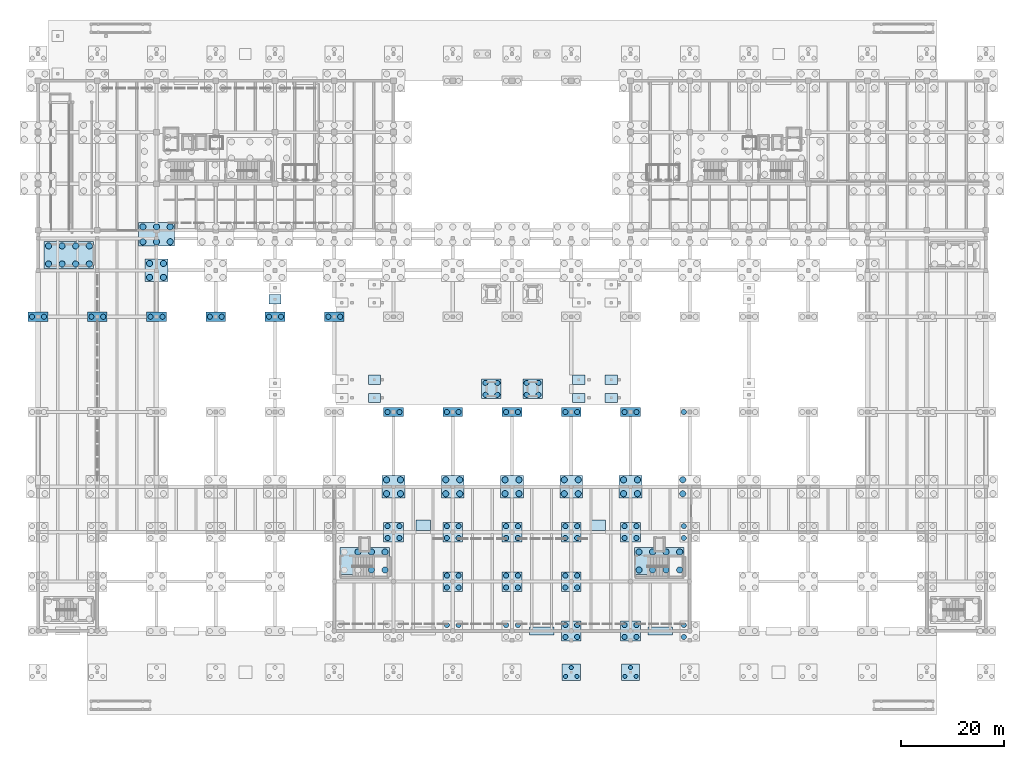
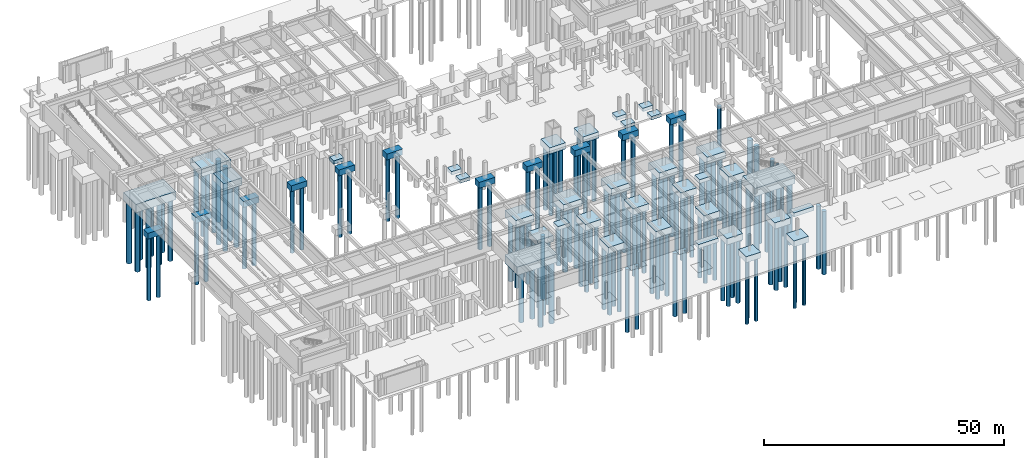
# One storey, part 2 of 28: 138 piles, 46 footings.
"""IFC4 building model written with IfcOpenShell, lengths in metres."""

from ifc_helpers import new_model, si_unit, direction, frame, origin, origin_2d, place, context, subcontext, project, spatial, rectangle, circle, extrude, material, material_profile, profile_set, type_object, element, save


model = new_model("IFC4")

# Units and contexts
model_context = context("Model", 3, precision=1e-05, world=origin(), true_north=direction((0.0, 1.0)))
body_context = subcontext(model_context, "Body", "Model", "MODEL_VIEW")
ifc_project = project(units=[si_unit("LENGTHUNIT", "METRE"), si_unit("AREAUNIT", "SQUARE_METRE"), si_unit("VOLUMEUNIT", "CUBIC_METRE"), si_unit("PLANEANGLEUNIT", "RADIAN"), si_unit("MASSUNIT", "GRAM", prefix="KILO")], contexts=[model_context])

# Site, building, storey
site_placement = place(None, origin())
site = spatial("IfcSite", under=ifc_project, at=site_placement, CompositionType="ELEMENT")
building_placement = place(site_placement, origin())
building = spatial("IfcBuilding", under=site, at=building_placement, Name="Ologun Quay Terminus", CompositionType="ELEMENT")
storey_placement = place(building_placement, frame((0.0, 0.0, -8.39990234375)))
storey = spatial("IfcBuildingStorey", under=building, at=storey_placement, Name="B02", CompositionType="ELEMENT", Elevation=-8.39990234375)

# Footings
ifc_material_1 = material(Name="Concrete C35/45", Category="concrete")
footing_type_1 = type_object("IfcFootingType", Name="Basement Retaining Strip Footing 1600x1000", PredefinedType="STRIP_FOOTING", material=ifc_material_1)
for number, where, z_axis, x_axis, name in (
    (1, (97.75, 8.0, -1.0), (0.0, 0.0, 1.0), (1.0, 0.0, 0.0), "SF3 Strip Footing Bay 9"),
    (2, (120.75, 8.0, -1.0), (0.0, 0.0, 1.0), (1.0, 0.0, 0.0), "SF3 Strip Footing Bay 11"),
):
    element("IfcFooting", number, at=place(storey_placement, frame(where, z_axis=z_axis, x_axis=x_axis)), inside=storey, type_object=footing_type_1, Name=name, PredefinedType="STRIP_FOOTING", context=body_context, shape_type="SweptSolid", body=[
        extrude(rectangle(XDim=4.800048828125, YDim=1.60009765625, at=origin_2d()), origin(), (0.0, 0.0, 1.0), 1.0),
    ])

# Piles
ifc_material_2 = material(Name="Concrete C35/45", Category="concrete")
ifc_material_profile_1 = material_profile(ifc_material_2, circle(Radius=0.5, at=origin_2d()), Name="PILE D1000")
ifc_profile_set_1 = profile_set([ifc_material_profile_1], Name="Concrete C35/45")
pile_type_1 = type_object("IfcPileType", Name="Bored Concrete Pile D1000", PredefinedType="BORED", material=ifc_profile_set_1)
for number, where, z_axis, x_axis, name in (
    (3, (86.85009765625, 53.85009765625, -1.5), (0.0, 0.0, -1.0), (1.0, 0.0, 0.0), "P2 Pile FND-LF-P1-01"),
    (4, (89.14990234375, 53.85009765625, -1.5), (0.0, 0.0, -1.0), (1.0, 0.0, 0.0), "P2 Pile FND-LF-P1-02"),
    (5, (86.85009765625, 56.14990234375, -1.5), (0.0, 0.0, -1.0), (1.0, 0.0, 0.0), "P2 Pile FND-LF-P1-03"),
    (6, (89.14990234375, 56.14990234375, -1.5), (0.0, 0.0, -1.0), (1.0, 0.0, 0.0), "P2 Pile FND-LF-P1-04"),
    (7, (94.85009765625, 53.85009765625, -1.5), (0.0, 0.0, -1.0), (1.0, 0.0, 0.0), "P2 Pile FND-LF-P2-01"),
    (8, (97.14990234375, 53.85009765625, -1.5), (0.0, 0.0, -1.0), (1.0, 0.0, 0.0), "P2 Pile FND-LF-P2-02"),
    (9, (94.85009765625, 56.14990234375, -1.5), (0.0, 0.0, -1.0), (1.0, 0.0, 0.0), "P2 Pile FND-LF-P2-03"),
    (10, (97.14990234375, 56.14990234375, -1.5), (0.0, 0.0, -1.0), (1.0, 0.0, 0.0), "P2 Pile FND-LF-P2-04"),
):
    element("IfcPile", number, at=place(storey_placement, frame(where, z_axis=z_axis, x_axis=x_axis)), inside=storey, type_object=pile_type_1, Name=name, PredefinedType="BORED", context=body_context, shape_type="SweptSolid", body=[
        extrude(circle(Radius=0.5, at=origin_2d()), origin(), (0.0, 0.0, 1.0), 16.10009765625),
    ])
for number, where, z_axis, x_axis, name in (
    (11, (-1.14990234375, 69.0, -1.400146484375), (0.0, 0.0, -1.0), (1.0, 0.0, 0.0), "P2 Pile FND-SUB-1-Y69-01"),
    (12, (1.14990234375, 69.0, -1.400146484375), (0.0, 0.0, -1.0), (1.0, 0.0, 0.0), "P2 Pile FND-SUB-1-Y69-02"),
    (13, (10.35009765625, 69.0, -1.400146484375), (0.0, 0.0, -1.0), (1.0, 0.0, 0.0), "P2 Pile FND-SUB-2-Y69-01"),
    (14, (12.64990234375, 69.0, -1.400146484375), (0.0, 0.0, -1.0), (1.0, 0.0, 0.0), "P2 Pile FND-SUB-2-Y69-02"),
    (15, (21.85009765625, 69.0, -1.400146484375), (0.0, 0.0, -1.0), (1.0, 0.0, 0.0), "P2 Pile FND-SUB-3-Y69-01"),
    (16, (24.14990234375, 69.0, -1.400146484375), (0.0, 0.0, -1.0), (1.0, 0.0, 0.0), "P2 Pile FND-SUB-3-Y69-02"),
    (17, (33.35009765625, 69.0, -1.400146484375), (0.0, 0.0, -1.0), (1.0, 0.0, 0.0), "P2 Pile FND-SUB-4-Y69-01"),
    (18, (35.64990234375, 69.0, -1.400146484375), (0.0, 0.0, -1.0), (1.0, 0.0, 0.0), "P2 Pile FND-SUB-4-Y69-02"),
    (19, (44.85009765625, 69.0, -1.400146484375), (0.0, 0.0, -1.0), (1.0, 0.0, 0.0), "P2 Pile FND-SUB-5-Y69-01"),
    (20, (47.14990234375, 69.0, -1.400146484375), (0.0, 0.0, -1.0), (1.0, 0.0, 0.0), "P2 Pile FND-SUB-5-Y69-02"),
    (21, (56.35009765625, 69.0, -1.400146484375), (0.0, 0.0, -1.0), (1.0, 0.0, 0.0), "P2 Pile FND-SUB-6-Y69-01"),
    (22, (58.64990234375, 69.0, -1.400146484375), (0.0, 0.0, -1.0), (1.0, 0.0, 0.0), "P2 Pile FND-SUB-6-Y69-02"),
):
    element("IfcPile", number, at=place(storey_placement, frame(where, z_axis=z_axis, x_axis=x_axis)), inside=storey, type_object=pile_type_1, Name=name, PredefinedType="BORED", context=body_context, shape_type="SweptSolid", body=[
        extrude(circle(Radius=0.5, at=origin_2d()), origin(), (0.0, 0.0, 1.0), 16.199951171875),
    ])
for number, where, z_axis, x_axis, name in (
    (23, (67.85009765625, 26.050048828125, -1.5), (0.0, 0.0, -1.0), (1.0, 0.0, 0.0), "P2 Pile FND-7-D-01"),
    (24, (70.14990234375, 26.050048828125, -1.5), (0.0, 0.0, -1.0), (1.0, 0.0, 0.0), "P2 Pile FND-7-D-02"),
    (25, (67.85009765625, 28.35009765625, -1.5), (0.0, 0.0, -1.0), (1.0, 0.0, 0.0), "P2 Pile FND-7-D-03"),
    (26, (70.14990234375, 28.35009765625, -1.5), (0.0, 0.0, -1.0), (1.0, 0.0, 0.0), "P2 Pile FND-7-D-04"),
):
    element("IfcPile", number, at=place(storey_placement, frame(where, z_axis=z_axis, x_axis=x_axis)), inside=storey, type_object=pile_type_1, Name=name, PredefinedType="BORED", context=body_context, shape_type="SweptSolid", body=[
        extrude(circle(Radius=0.5, at=origin_2d()), origin(), (0.0, 0.0, 1.0), 16.10009765625),
    ])
for number, where, z_axis, x_axis, name in (
    (27, (67.85009765625, 50.5, -1.400146484375), (0.0, 0.0, -1.0), (1.0, 0.0, 0.0), "P2 Pile FND-SUB-7-Y50-01"),
    (28, (70.14990234375, 50.5, -1.400146484375), (0.0, 0.0, -1.0), (1.0, 0.0, 0.0), "P2 Pile FND-SUB-7-Y50-02"),
):
    element("IfcPile", number, at=place(storey_placement, frame(where, z_axis=z_axis, x_axis=x_axis)), inside=storey, type_object=pile_type_1, Name=name, PredefinedType="BORED", context=body_context, shape_type="SweptSolid", body=[
        extrude(circle(Radius=0.5, at=origin_2d()), origin(), (0.0, 0.0, 1.0), 16.199951171875),
    ])
for number, where, z_axis, x_axis, name in (
    (29, (79.35009765625, 9.14990234375, -1.5), (0.0, 0.0, -1.0), (1.0, 0.0, 0.0), "P2 Pile FND-8-B-03"),
    (30, (81.64990234375, 9.14990234375, -1.5), (0.0, 0.0, -1.0), (1.0, 0.0, 0.0), "P2 Pile FND-8-B-04"),
    (31, (79.35009765625, 16.449951171875, -1.5), (0.0, 0.0, -1.0), (1.0, 0.0, 0.0), "P2 Pile FND-8-C-01"),
    (32, (81.64990234375, 16.449951171875, -1.5), (0.0, 0.0, -1.0), (1.0, 0.0, 0.0), "P2 Pile FND-8-C-02"),
    (33, (79.35009765625, 18.75, -1.5), (0.0, 0.0, -1.0), (1.0, 0.0, 0.0), "P2 Pile FND-8-C-03"),
    (34, (81.64990234375, 18.75, -1.5), (0.0, 0.0, -1.0), (1.0, 0.0, 0.0), "P2 Pile FND-8-C-04"),
    (35, (79.35009765625, 26.050048828125, -1.5), (0.0, 0.0, -1.0), (1.0, 0.0, 0.0), "P2 Pile FND-8-D-01"),
    (36, (81.64990234375, 26.050048828125, -1.5), (0.0, 0.0, -1.0), (1.0, 0.0, 0.0), "P2 Pile FND-8-D-02"),
    (37, (79.35009765625, 28.35009765625, -1.5), (0.0, 0.0, -1.0), (1.0, 0.0, 0.0), "P2 Pile FND-8-D-03"),
    (38, (81.64990234375, 28.35009765625, -1.5), (0.0, 0.0, -1.0), (1.0, 0.0, 0.0), "P2 Pile FND-8-D-04"),
):
    element("IfcPile", number, at=place(storey_placement, frame(where, z_axis=z_axis, x_axis=x_axis)), inside=storey, type_object=pile_type_1, Name=name, PredefinedType="BORED", context=body_context, shape_type="SweptSolid", body=[
        extrude(circle(Radius=0.5, at=origin_2d()), origin(), (0.0, 0.0, 1.0), 16.10009765625),
    ])
for number, where, z_axis, x_axis, name in (
    (39, (79.35009765625, 50.5, -1.400146484375), (0.0, 0.0, -1.0), (1.0, 0.0, 0.0), "P2 Pile FND-SUB-8-Y50-01"),
    (40, (81.64990234375, 50.5, -1.400146484375), (0.0, 0.0, -1.0), (1.0, 0.0, 0.0), "P2 Pile FND-SUB-8-Y50-02"),
):
    element("IfcPile", number, at=place(storey_placement, frame(where, z_axis=z_axis, x_axis=x_axis)), inside=storey, type_object=pile_type_1, Name=name, PredefinedType="BORED", context=body_context, shape_type="SweptSolid", body=[
        extrude(circle(Radius=0.5, at=origin_2d()), origin(), (0.0, 0.0, 1.0), 16.199951171875),
    ])
for number, where, z_axis, x_axis, name in (
    (41, (90.85009765625, 9.14990234375, -1.5), (0.0, 0.0, -1.0), (1.0, 0.0, 0.0), "P2 Pile FND-9-B-03"),
    (42, (93.14990234375, 9.14990234375, -1.5), (0.0, 0.0, -1.0), (1.0, 0.0, 0.0), "P2 Pile FND-9-B-04"),
    (43, (90.85009765625, 16.449951171875, -1.5), (0.0, 0.0, -1.0), (1.0, 0.0, 0.0), "P2 Pile FND-9-C-01"),
    (44, (93.14990234375, 16.449951171875, -1.5), (0.0, 0.0, -1.0), (1.0, 0.0, 0.0), "P2 Pile FND-9-C-02"),
    (45, (90.85009765625, 18.75, -1.5), (0.0, 0.0, -1.0), (1.0, 0.0, 0.0), "P2 Pile FND-9-C-03"),
    (46, (93.14990234375, 18.75, -1.5), (0.0, 0.0, -1.0), (1.0, 0.0, 0.0), "P2 Pile FND-9-C-04"),
    (47, (90.85009765625, 26.050048828125, -1.5), (0.0, 0.0, -1.0), (1.0, 0.0, 0.0), "P2 Pile FND-9-D-01"),
    (48, (93.14990234375, 26.050048828125, -1.5), (0.0, 0.0, -1.0), (1.0, 0.0, 0.0), "P2 Pile FND-9-D-02"),
    (49, (90.85009765625, 28.35009765625, -1.5), (0.0, 0.0, -1.0), (1.0, 0.0, 0.0), "P2 Pile FND-9-D-03"),
    (50, (93.14990234375, 28.35009765625, -1.5), (0.0, 0.0, -1.0), (1.0, 0.0, 0.0), "P2 Pile FND-9-D-04"),
):
    element("IfcPile", number, at=place(storey_placement, frame(where, z_axis=z_axis, x_axis=x_axis)), inside=storey, type_object=pile_type_1, Name=name, PredefinedType="BORED", context=body_context, shape_type="SweptSolid", body=[
        extrude(circle(Radius=0.5, at=origin_2d()), origin(), (0.0, 0.0, 1.0), 16.10009765625),
    ])
for number, where, z_axis, x_axis, name in (
    (51, (90.85009765625, 50.5, -1.400146484375), (0.0, 0.0, -1.0), (1.0, 0.0, 0.0), "P2 Pile FND-SUB-9-Y50-01"),
    (52, (93.14990234375, 50.5, -1.400146484375), (0.0, 0.0, -1.0), (1.0, 0.0, 0.0), "P2 Pile FND-SUB-9-Y50-02"),
):
    element("IfcPile", number, at=place(storey_placement, frame(where, z_axis=z_axis, x_axis=x_axis)), inside=storey, type_object=pile_type_1, Name=name, PredefinedType="BORED", context=body_context, shape_type="SweptSolid", body=[
        extrude(circle(Radius=0.5, at=origin_2d()), origin(), (0.0, 0.0, 1.0), 16.199951171875),
    ])
for number, where, z_axis, x_axis, name in (
    (53, (102.35009765625, 6.85009765625, -1.5), (0.0, 0.0, -1.0), (1.0, 0.0, 0.0), "P2 Pile FND-10-B-01"),
    (54, (104.64990234375, 6.85009765625, -1.5), (0.0, 0.0, -1.0), (1.0, 0.0, 0.0), "P2 Pile FND-10-B-02"),
    (55, (102.35009765625, 9.14990234375, -1.5), (0.0, 0.0, -1.0), (1.0, 0.0, 0.0), "P2 Pile FND-10-B-03"),
    (56, (104.64990234375, 9.14990234375, -1.5), (0.0, 0.0, -1.0), (1.0, 0.0, 0.0), "P2 Pile FND-10-B-04"),
    (57, (102.35009765625, 16.449951171875, -1.5), (0.0, 0.0, -1.0), (1.0, 0.0, 0.0), "P2 Pile FND-10-C-01"),
    (58, (104.64990234375, 16.449951171875, -1.5), (0.0, 0.0, -1.0), (1.0, 0.0, 0.0), "P2 Pile FND-10-C-02"),
    (59, (102.35009765625, 18.75, -1.5), (0.0, 0.0, -1.0), (1.0, 0.0, 0.0), "P2 Pile FND-10-C-03"),
    (60, (104.64990234375, 18.75, -1.5), (0.0, 0.0, -1.0), (1.0, 0.0, 0.0), "P2 Pile FND-10-C-04"),
    (61, (102.35009765625, 26.050048828125, -1.5), (0.0, 0.0, -1.0), (1.0, 0.0, 0.0), "P2 Pile FND-10-D-01"),
    (62, (104.64990234375, 26.050048828125, -1.5), (0.0, 0.0, -1.0), (1.0, 0.0, 0.0), "P2 Pile FND-10-D-02"),
    (63, (102.35009765625, 28.35009765625, -1.5), (0.0, 0.0, -1.0), (1.0, 0.0, 0.0), "P2 Pile FND-10-D-03"),
    (64, (104.64990234375, 28.35009765625, -1.5), (0.0, 0.0, -1.0), (1.0, 0.0, 0.0), "P2 Pile FND-10-D-04"),
):
    element("IfcPile", number, at=place(storey_placement, frame(where, z_axis=z_axis, x_axis=x_axis)), inside=storey, type_object=pile_type_1, Name=name, PredefinedType="BORED", context=body_context, shape_type="SweptSolid", body=[
        extrude(circle(Radius=0.5, at=origin_2d()), origin(), (0.0, 0.0, 1.0), 16.10009765625),
    ])
for number, where, z_axis, x_axis, name in (
    (65, (102.35009765625, 50.5, -1.400146484375), (0.0, 0.0, -1.0), (1.0, 0.0, 0.0), "P2 Pile FND-SUB-10-Y50-01"),
    (66, (104.64990234375, 50.5, -1.400146484375), (0.0, 0.0, -1.0), (1.0, 0.0, 0.0), "P2 Pile FND-SUB-10-Y50-02"),
):
    element("IfcPile", number, at=place(storey_placement, frame(where, z_axis=z_axis, x_axis=x_axis)), inside=storey, type_object=pile_type_1, Name=name, PredefinedType="BORED", context=body_context, shape_type="SweptSolid", body=[
        extrude(circle(Radius=0.5, at=origin_2d()), origin(), (0.0, 0.0, 1.0), 16.199951171875),
    ])
for number, where, z_axis, x_axis, name in (
    (67, (113.85009765625, 6.85009765625, -1.5), (0.0, 0.0, -1.0), (1.0, 0.0, 0.0), "P2 Pile FND-11-B-01"),
    (68, (116.14990234375, 6.85009765625, -1.5), (0.0, 0.0, -1.0), (1.0, 0.0, 0.0), "P2 Pile FND-11-B-02"),
    (69, (113.85009765625, 9.14990234375, -1.5), (0.0, 0.0, -1.0), (1.0, 0.0, 0.0), "P2 Pile FND-11-B-03"),
    (70, (116.14990234375, 9.14990234375, -1.5), (0.0, 0.0, -1.0), (1.0, 0.0, 0.0), "P2 Pile FND-11-B-04"),
    (71, (113.85009765625, 26.050048828125, -1.5), (0.0, 0.0, -1.0), (1.0, 0.0, 0.0), "P2 Pile FND-11-D-01"),
    (72, (116.14990234375, 26.050048828125, -1.5), (0.0, 0.0, -1.0), (1.0, 0.0, 0.0), "P2 Pile FND-11-D-02"),
    (73, (113.85009765625, 28.35009765625, -1.5), (0.0, 0.0, -1.0), (1.0, 0.0, 0.0), "P2 Pile FND-11-D-03"),
    (74, (116.14990234375, 28.35009765625, -1.5), (0.0, 0.0, -1.0), (1.0, 0.0, 0.0), "P2 Pile FND-11-D-04"),
):
    element("IfcPile", number, at=place(storey_placement, frame(where, z_axis=z_axis, x_axis=x_axis)), inside=storey, type_object=pile_type_1, Name=name, PredefinedType="BORED", context=body_context, shape_type="SweptSolid", body=[
        extrude(circle(Radius=0.5, at=origin_2d()), origin(), (0.0, 0.0, 1.0), 16.10009765625),
    ])
for number, where, z_axis, x_axis, name in (
    (75, (113.85009765625, 50.5, -1.400146484375), (0.0, 0.0, -1.0), (1.0, 0.0, 0.0), "P2 Pile FND-SUB-11-Y50-01"),
    (76, (116.14990234375, 50.5, -1.400146484375), (0.0, 0.0, -1.0), (1.0, 0.0, 0.0), "P2 Pile FND-SUB-11-Y50-02"),
):
    element("IfcPile", number, at=place(storey_placement, frame(where, z_axis=z_axis, x_axis=x_axis)), inside=storey, type_object=pile_type_1, Name=name, PredefinedType="BORED", context=body_context, shape_type="SweptSolid", body=[
        extrude(circle(Radius=0.5, at=origin_2d()), origin(), (0.0, 0.0, 1.0), 16.199951171875),
    ])
for number, where, z_axis, x_axis, name in (
    (77, (125.35009765625, 6.85009765625, -1.5), (0.0, 0.0, -1.0), (1.0, 0.0, 0.0), "P2 Pile FND-12-B-01"),
    (78, (125.35009765625, 9.14990234375, -1.5), (0.0, 0.0, -1.0), (1.0, 0.0, 0.0), "P2 Pile FND-12-B-03"),
    (79, (125.35009765625, 26.050048828125, -1.5), (0.0, 0.0, -1.0), (1.0, 0.0, 0.0), "P2 Pile FND-12-D-01"),
    (80, (125.35009765625, 28.35009765625, -1.5), (0.0, 0.0, -1.0), (1.0, 0.0, 0.0), "P2 Pile FND-12-D-03"),
):
    element("IfcPile", number, at=place(storey_placement, frame(where, z_axis=z_axis, x_axis=x_axis)), inside=storey, type_object=pile_type_1, Name=name, PredefinedType="BORED", context=body_context, shape_type="SweptSolid", body=[
        extrude(circle(Radius=0.5, at=origin_2d()), origin(), (0.0, 0.0, 1.0), 16.10009765625),
    ])
pile_placement = place(storey_placement, frame((125.35009765625, 50.5, -1.400146484375), z_axis=(0.0, 0.0, -1.0), x_axis=(1.0, 0.0, 0.0)))
element("IfcPile", 81, at=pile_placement, inside=storey, type_object=pile_type_1, Name="P2 Pile FND-SUB-12-Y50-01", PredefinedType="BORED", context=body_context, shape_type="SweptSolid", body=[
    extrude(circle(Radius=0.5, at=origin_2d()), origin(), (0.0, 0.0, 1.0), 16.199951171875),
])
ifc_material_3 = material(Name="Concrete C35/45", Category="concrete")
ifc_material_profile_2 = material_profile(ifc_material_3, circle(Radius=0.60009765625, at=origin_2d()), Name="PILE D1200")
ifc_profile_set_2 = profile_set([ifc_material_profile_2], Name="Concrete C35/45")
pile_type_2 = type_object("IfcPileType", Name="Bored Concrete Pile D1200", PredefinedType="BORED", material=ifc_profile_set_2)
for number, where, z_axis, x_axis, name in (
    (82, (64.716796875, 19.85009765625, -2.0), (0.0, 0.0, -1.0), (1.0, 0.0, 0.0), "P1 Pile FND-SCAP-3-03"),
    (83, (67.35009765625, 19.85009765625, -2.0), (0.0, 0.0, -1.0), (1.0, 0.0, 0.0), "P1 Pile FND-SCAP-3-04"),
    (84, (62.083251953125, 23.35009765625, -2.0), (0.0, 0.0, -1.0), (1.0, 0.0, 0.0), "P1 Pile FND-SCAP-3-06"),
    (85, (64.716796875, 23.35009765625, -2.0), (0.0, 0.0, -1.0), (1.0, 0.0, 0.0), "P1 Pile FND-SCAP-3-07"),
    (86, (67.35009765625, 23.35009765625, -2.0), (0.0, 0.0, -1.0), (1.0, 0.0, 0.0), "P1 Pile FND-SCAP-3-08"),
    (87, (116.64990234375, 19.85009765625, -2.0), (0.0, 0.0, -1.0), (1.0, 0.0, 0.0), "P1 Pile FND-SCAP-4-01"),
    (88, (119.283203125, 19.85009765625, -2.0), (0.0, 0.0, -1.0), (1.0, 0.0, 0.0), "P1 Pile FND-SCAP-4-02"),
    (89, (121.916748046875, 19.85009765625, -2.0), (0.0, 0.0, -1.0), (1.0, 0.0, 0.0), "P1 Pile FND-SCAP-4-03"),
    (90, (124.550048828125, 19.85009765625, -2.0), (0.0, 0.0, -1.0), (1.0, 0.0, 0.0), "P1 Pile FND-SCAP-4-04"),
    (91, (116.64990234375, 23.35009765625, -2.0), (0.0, 0.0, -1.0), (1.0, 0.0, 0.0), "P1 Pile FND-SCAP-4-05"),
    (92, (119.283203125, 23.35009765625, -2.0), (0.0, 0.0, -1.0), (1.0, 0.0, 0.0), "P1 Pile FND-SCAP-4-06"),
    (93, (121.916748046875, 23.35009765625, -2.0), (0.0, 0.0, -1.0), (1.0, 0.0, 0.0), "P1 Pile FND-SCAP-4-07"),
    (94, (124.550048828125, 23.35009765625, -2.0), (0.0, 0.0, -1.0), (1.0, 0.0, 0.0), "P1 Pile FND-SCAP-4-08"),
    (95, (2.050048828125, 79.25, -2.0), (0.0, 0.0, -1.0), (1.0, 0.0, 0.0), "P1 Pile FND-SCAP-5-01"),
    (96, (4.683349609375, 79.25, -2.0), (0.0, 0.0, -1.0), (1.0, 0.0, 0.0), "P1 Pile FND-SCAP-5-02"),
    (97, (7.316650390625, 79.25, -2.0), (0.0, 0.0, -1.0), (1.0, 0.0, 0.0), "P1 Pile FND-SCAP-5-03"),
    (98, (9.949951171875, 79.25, -2.0), (0.0, 0.0, -1.0), (1.0, 0.0, 0.0), "P1 Pile FND-SCAP-5-04"),
    (99, (2.050048828125, 82.75, -2.0), (0.0, 0.0, -1.0), (1.0, 0.0, 0.0), "P1 Pile FND-SCAP-5-05"),
    (100, (4.683349609375, 82.75, -2.0), (0.0, 0.0, -1.0), (1.0, 0.0, 0.0), "P1 Pile FND-SCAP-5-06"),
    (101, (7.316650390625, 82.75, -2.0), (0.0, 0.0, -1.0), (1.0, 0.0, 0.0), "P1 Pile FND-SCAP-5-07"),
    (102, (9.949951171875, 82.75, -2.0), (0.0, 0.0, -1.0), (1.0, 0.0, 0.0), "P1 Pile FND-SCAP-5-08"),
):
    element("IfcPile", number, at=place(storey_placement, frame(where, z_axis=z_axis, x_axis=x_axis)), inside=storey, type_object=pile_type_2, Name=name, PredefinedType="BORED", context=body_context, shape_type="SweptSolid", body=[
        extrude(circle(Radius=0.60009765625, at=origin_2d()), origin(), (0.0, 0.0, 1.0), 15.60009765625),
    ])
for number, where, z_axis, x_axis, name in (
    (103, (20.35009765625, 83.550048828125, -1.900146484375), (0.0, 0.0, -1.0), (1.0, 0.0, 0.0), "P1 Pile FND-MJ-3-01"),
    (104, (23.0, 83.550048828125, -1.900146484375), (0.0, 0.0, -1.0), (1.0, 0.0, 0.0), "P1 Pile FND-MJ-3-02"),
    (105, (25.64990234375, 83.550048828125, -1.900146484375), (0.0, 0.0, -1.0), (1.0, 0.0, 0.0), "P1 Pile FND-MJ-3-03"),
    (106, (20.35009765625, 86.449951171875, -1.900146484375), (0.0, 0.0, -1.0), (1.0, 0.0, 0.0), "P1 Pile FND-MJ-3-04"),
    (107, (23.0, 86.449951171875, -1.900146484375), (0.0, 0.0, -1.0), (1.0, 0.0, 0.0), "P1 Pile FND-MJ-3-05"),
    (108, (25.64990234375, 86.449951171875, -1.900146484375), (0.0, 0.0, -1.0), (1.0, 0.0, 0.0), "P1 Pile FND-MJ-3-06"),
):
    element("IfcPile", number, at=place(storey_placement, frame(where, z_axis=z_axis, x_axis=x_axis)), inside=storey, type_object=pile_type_2, Name=name, PredefinedType="BORED", context=body_context, shape_type="SweptSolid", body=[
        extrude(circle(Radius=0.60009765625, at=origin_2d()), origin(), (0.0, 0.0, 1.0), 15.699951171875),
    ])
for number, where, z_axis, x_axis, name in (
    (109, (21.64990234375, 76.64990234375, -1.75), (0.0, 0.0, -1.0), (1.0, 0.0, 0.0), "P1 Pile FND-3-F-01"),
    (110, (24.35009765625, 76.64990234375, -1.75), (0.0, 0.0, -1.0), (1.0, 0.0, 0.0), "P1 Pile FND-3-F-02"),
    (111, (21.64990234375, 79.35009765625, -1.75), (0.0, 0.0, -1.0), (1.0, 0.0, 0.0), "P1 Pile FND-3-F-03"),
    (112, (24.35009765625, 79.35009765625, -1.75), (0.0, 0.0, -1.0), (1.0, 0.0, 0.0), "P1 Pile FND-3-F-04"),
    (113, (67.64990234375, 34.64990234375, -1.75), (0.0, 0.0, -1.0), (1.0, 0.0, 0.0), "P1 Pile FND-7-E-01"),
    (114, (70.35009765625, 34.64990234375, -1.75), (0.0, 0.0, -1.0), (1.0, 0.0, 0.0), "P1 Pile FND-7-E-02"),
    (115, (67.64990234375, 37.35009765625, -1.75), (0.0, 0.0, -1.0), (1.0, 0.0, 0.0), "P1 Pile FND-7-E-03"),
    (116, (70.35009765625, 37.35009765625, -1.75), (0.0, 0.0, -1.0), (1.0, 0.0, 0.0), "P1 Pile FND-7-E-04"),
    (117, (79.14990234375, 34.64990234375, -1.75), (0.0, 0.0, -1.0), (1.0, 0.0, 0.0), "P1 Pile FND-8-E-01"),
    (118, (81.85009765625, 34.64990234375, -1.75), (0.0, 0.0, -1.0), (1.0, 0.0, 0.0), "P1 Pile FND-8-E-02"),
    (119, (79.14990234375, 37.35009765625, -1.75), (0.0, 0.0, -1.0), (1.0, 0.0, 0.0), "P1 Pile FND-8-E-03"),
    (120, (81.85009765625, 37.35009765625, -1.75), (0.0, 0.0, -1.0), (1.0, 0.0, 0.0), "P1 Pile FND-8-E-04"),
    (121, (90.64990234375, 34.64990234375, -1.75), (0.0, 0.0, -1.0), (1.0, 0.0, 0.0), "P1 Pile FND-9-E-01"),
    (122, (93.35009765625, 34.64990234375, -1.75), (0.0, 0.0, -1.0), (1.0, 0.0, 0.0), "P1 Pile FND-9-E-02"),
    (123, (90.64990234375, 37.35009765625, -1.75), (0.0, 0.0, -1.0), (1.0, 0.0, 0.0), "P1 Pile FND-9-E-03"),
    (124, (93.35009765625, 37.35009765625, -1.75), (0.0, 0.0, -1.0), (1.0, 0.0, 0.0), "P1 Pile FND-9-E-04"),
    (125, (102.14990234375, 34.64990234375, -1.75), (0.0, 0.0, -1.0), (1.0, 0.0, 0.0), "P1 Pile FND-10-E-01"),
    (126, (104.85009765625, 34.64990234375, -1.75), (0.0, 0.0, -1.0), (1.0, 0.0, 0.0), "P1 Pile FND-10-E-02"),
    (127, (102.14990234375, 37.35009765625, -1.75), (0.0, 0.0, -1.0), (1.0, 0.0, 0.0), "P1 Pile FND-10-E-03"),
    (128, (104.85009765625, 37.35009765625, -1.75), (0.0, 0.0, -1.0), (1.0, 0.0, 0.0), "P1 Pile FND-10-E-04"),
    (129, (113.64990234375, 34.64990234375, -1.75), (0.0, 0.0, -1.0), (1.0, 0.0, 0.0), "P1 Pile FND-11-E-01"),
    (130, (116.35009765625, 34.64990234375, -1.75), (0.0, 0.0, -1.0), (1.0, 0.0, 0.0), "P1 Pile FND-11-E-02"),
    (131, (113.64990234375, 37.35009765625, -1.75), (0.0, 0.0, -1.0), (1.0, 0.0, 0.0), "P1 Pile FND-11-E-03"),
    (132, (116.35009765625, 37.35009765625, -1.75), (0.0, 0.0, -1.0), (1.0, 0.0, 0.0), "P1 Pile FND-11-E-04"),
    (133, (125.14990234375, 34.64990234375, -1.75), (0.0, 0.0, -1.0), (1.0, 0.0, 0.0), "P1 Pile FND-12-E-01"),
    (134, (125.14990234375, 37.35009765625, -1.75), (0.0, 0.0, -1.0), (1.0, 0.0, 0.0), "P1 Pile FND-12-E-03"),
):
    element("IfcPile", number, at=place(storey_placement, frame(where, z_axis=z_axis, x_axis=x_axis)), inside=storey, type_object=pile_type_2, Name=name, PredefinedType="BORED", context=body_context, shape_type="SweptSolid", body=[
        extrude(circle(Radius=0.60009765625, at=origin_2d()), origin(), (0.0, 0.0, 1.0), 15.85009765625),
    ])
ifc_material_4 = material(Name="Concrete C35/45", Category="concrete")
ifc_material_profile_3 = material_profile(ifc_material_4, circle(Radius=0.39990234375, at=origin_2d()), Name="PILE D800")
ifc_profile_set_3 = profile_set([ifc_material_profile_3], Name="Concrete C35/45")
pile_type_3 = type_object("IfcPileType", Name="Bored Concrete Pile D800", PredefinedType="BORED", material=ifc_profile_set_3)
for number, where, z_axis, x_axis, name in (
    (135, (102.39990234375, -0.8076171875, -1.400146484375), (0.0, 0.0, -1.0), (1.0, 0.0, 0.0), "P3 Pile FND-10-A-01"),
    (136, (104.60009765625, -0.8076171875, -1.400146484375), (0.0, 0.0, -1.0), (1.0, 0.0, 0.0), "P3 Pile FND-10-A-02"),
    (137, (103.5, 0.902587890625, -1.400146484375), (0.0, 0.0, -1.0), (1.0, 0.0, 0.0), "P3 Pile FND-10-A-03"),
    (138, (113.89990234375, -0.8076171875, -1.400146484375), (0.0, 0.0, -1.0), (1.0, 0.0, 0.0), "P3 Pile FND-11-A-01"),
    (139, (116.10009765625, -0.8076171875, -1.400146484375), (0.0, 0.0, -1.0), (1.0, 0.0, 0.0), "P3 Pile FND-11-A-02"),
    (140, (115.0, 0.902587890625, -1.400146484375), (0.0, 0.0, -1.0), (1.0, 0.0, 0.0), "P3 Pile FND-11-A-03"),
):
    element("IfcPile", number, at=place(storey_placement, frame(where, z_axis=z_axis, x_axis=x_axis)), inside=storey, type_object=pile_type_3, Name=name, PredefinedType="BORED", context=body_context, shape_type="SweptSolid", body=[
        extrude(circle(Radius=0.39990234375, at=origin_2d()), origin(), (0.0, 0.0, 1.0), 16.199951171875),
    ])

# Footings
ifc_material_5 = material(Name="Concrete C35/45", Category="concrete")
footing_type_2 = type_object("IfcFootingType", Name="Eight-Pile Core Mat Cap 9600x5200x2100", PredefinedType="PILE_CAP", material=ifc_material_5)
for number, where, z_axis, x_axis, name in (
    (141, (63.39990234375, 21.60009765625, -2.10009765625), (0.0, 0.0, 1.0), (1.0, 0.0, 0.0), "PC7 Footing 6/C"),
    (142, (120.60009765625, 21.60009765625, -2.10009765625), (0.0, 0.0, 1.0), (1.0, 0.0, 0.0), "PC7 Footing 11/C"),
    (143, (6.0, 81.0, -2.10009765625), (0.0, 0.0, 1.0), (1.0, 0.0, 0.0), "PC7 Footing 1/F"),
):
    element("IfcFooting", number, at=place(storey_placement, frame(where, z_axis=z_axis, x_axis=x_axis)), inside=storey, type_object=footing_type_2, Name=name, PredefinedType="PILE_CAP", context=body_context, shape_type="SweptSolid", body=[
        extrude(rectangle(XDim=9.60009765625, YDim=5.199951171875, at=origin_2d()), origin(), (0.0, 0.0, 1.0), 2.10009765625),
    ])
ifc_material_6 = material(Name="Concrete C35/45", Category="concrete")
footing_type_3 = type_object("IfcFootingType", Name="Escalator Pit Pad Footing 2800x2000x950", PredefinedType="PAD_FOOTING", material=ifc_material_6)
for number, where, z_axis, x_axis, name in (
    (144, (74.75, 28.5, -0.9501953125), (0.0, 0.0, 1.0), (1.0, 0.0, 0.0), "PF3 Footing 7/D"),
    (145, (108.75, 28.5, -0.9501953125), (0.0, 0.0, 1.0), (1.0, 0.0, 0.0), "PF3 Footing 10/D"),
):
    element("IfcFooting", number, at=place(storey_placement, frame(where, z_axis=z_axis, x_axis=x_axis)), inside=storey, type_object=footing_type_3, Name=name, PredefinedType="PAD_FOOTING", context=body_context, shape_type="SweptSolid", body=[
        extrude(rectangle(XDim=2.800048828125, YDim=2.0, at=origin_2d()), origin(), (0.0, 0.0, 1.0), 0.949951171875),
    ])
ifc_material_7 = material(Name="Concrete C35/45", Category="concrete")
footing_type_4 = type_object("IfcFootingType", Name="Four-Pile Arch Thrust Cap 4400x4400x1850", PredefinedType="PILE_CAP", material=ifc_material_7)
for number, where, z_axis, x_axis, name in (
    (146, (23.0, 78.0, -1.85009765625), (0.0, 0.0, 1.0), (1.0, 0.0, 0.0), "PC3 Footing 3/F"),
    (147, (69.0, 36.0, -1.85009765625), (0.0, 0.0, 1.0), (1.0, 0.0, 0.0), "PC3 Footing 7/E"),
    (148, (80.5, 36.0, -1.85009765625), (0.0, 0.0, 1.0), (1.0, 0.0, 0.0), "PC3 Footing 8/E"),
    (149, (92.0, 36.0, -1.85009765625), (0.0, 0.0, 1.0), (1.0, 0.0, 0.0), "PC3 Footing 9/E"),
    (150, (103.5, 36.0, -1.85009765625), (0.0, 0.0, 1.0), (1.0, 0.0, 0.0), "PC3 Footing 10/E"),
    (151, (115.0, 36.0, -1.85009765625), (0.0, 0.0, 1.0), (1.0, 0.0, 0.0), "PC3 Footing 11/E"),
):
    element("IfcFooting", number, at=place(storey_placement, frame(where, z_axis=z_axis, x_axis=x_axis)), inside=storey, type_object=footing_type_4, Name=name, PredefinedType="PILE_CAP", context=body_context, shape_type="SweptSolid", body=[
        extrude(rectangle(XDim=4.39990234375, YDim=4.39990234375, at=origin_2d()), origin(), (0.0, 0.0, 1.0), 1.85009765625),
    ])
ifc_material_8 = material(Name="Concrete C35/45", Category="concrete")
footing_type_5 = type_object("IfcFootingType", Name="Four-Pile Station Cap 3800x3800x1600", PredefinedType="PILE_CAP", material=ifc_material_8)
for number, where, z_axis, x_axis, name in (
    (152, (88.0, 55.0, -1.60009765625), (0.0, 0.0, 1.0), (1.0, 0.0, 0.0), "PC4 Footing 8/E"),
    (153, (96.0, 55.0, -1.60009765625), (0.0, 0.0, 1.0), (1.0, 0.0, 0.0), "PC4 Footing 9/E"),
    (154, (69.0, 27.199951171875, -1.60009765625), (0.0, 0.0, 1.0), (1.0, 0.0, 0.0), "PC4 Footing 7/D"),
    (155, (80.5, 17.60009765625, -1.60009765625), (0.0, 0.0, 1.0), (1.0, 0.0, 0.0), "PC4 Footing 8/C"),
    (156, (80.5, 27.199951171875, -1.60009765625), (0.0, 0.0, 1.0), (1.0, 0.0, 0.0), "PC4 Footing 8/D"),
    (157, (92.0, 17.60009765625, -1.60009765625), (0.0, 0.0, 1.0), (1.0, 0.0, 0.0), "PC4 Footing 9/C"),
    (158, (92.0, 27.199951171875, -1.60009765625), (0.0, 0.0, 1.0), (1.0, 0.0, 0.0), "PC4 Footing 9/D"),
    (159, (103.5, 8.0, -1.60009765625), (0.0, 0.0, 1.0), (1.0, 0.0, 0.0), "PC4 Footing 10/B"),
    (160, (103.5, 17.60009765625, -1.60009765625), (0.0, 0.0, 1.0), (1.0, 0.0, 0.0), "PC4 Footing 10/C"),
    (161, (103.5, 27.199951171875, -1.60009765625), (0.0, 0.0, 1.0), (1.0, 0.0, 0.0), "PC4 Footing 10/D"),
    (162, (115.0, 8.0, -1.60009765625), (0.0, 0.0, 1.0), (1.0, 0.0, 0.0), "PC4 Footing 11/B"),
    (163, (115.0, 27.199951171875, -1.60009765625), (0.0, 0.0, 1.0), (1.0, 0.0, 0.0), "PC4 Footing 11/D"),
):
    element("IfcFooting", number, at=place(storey_placement, frame(where, z_axis=z_axis, x_axis=x_axis)), inside=storey, type_object=footing_type_5, Name=name, PredefinedType="PILE_CAP", context=body_context, shape_type="SweptSolid", body=[
        extrude(rectangle(XDim=3.800048828125, YDim=3.800048828125, at=origin_2d()), origin(), (0.0, 0.0, 1.0), 1.60009765625),
    ])
ifc_material_9 = material(Name="Concrete C35/45", Category="concrete")
footing_type_6 = type_object("IfcFootingType", Name="Platform Stair Pad Footing 2400x1800x850", PredefinedType="PAD_FOOTING", material=ifc_material_9)
for number, where, z_axis, x_axis, name in (
    (164, (46.0, 72.39990234375, -0.85009765625), (0.0, 0.0, 1.0), (1.0, 0.0, 0.0), "PF4 Footing 5/E"),
    (165, (65.300048828125, 53.25, -0.85009765625), (0.0, 0.0, 1.0), (1.0, 0.0, 0.0), "PF4 Footing 6/E"),
    (166, (65.300048828125, 56.75, -0.85009765625), (0.0, 0.0, 1.0), (1.0, 0.0, 0.0), "PF4 Footing 6/E"),
    (167, (104.949951171875, 53.25, -0.85009765625), (0.0, 0.0, 1.0), (1.0, 0.0, 0.0), "PF4 Footing 10/E"),
    (168, (104.949951171875, 56.75, -0.85009765625), (0.0, 0.0, 1.0), (1.0, 0.0, 0.0), "PF4 Footing 10/E"),
    (169, (111.300048828125, 53.25, -0.85009765625), (0.0, 0.0, 1.0), (1.0, 0.0, 0.0), "PF4 Footing 10/E"),
    (170, (111.300048828125, 56.75, -0.85009765625), (0.0, 0.0, 1.0), (1.0, 0.0, 0.0), "PF4 Footing 10/E"),
):
    element("IfcFooting", number, at=place(storey_placement, frame(where, z_axis=z_axis, x_axis=x_axis)), inside=storey, type_object=footing_type_6, Name=name, PredefinedType="PAD_FOOTING", context=body_context, shape_type="SweptSolid", body=[
        extrude(rectangle(XDim=2.39990234375, YDim=1.800048828125, at=origin_2d()), origin(), (0.0, 0.0, 1.0), 0.85009765625),
    ])
ifc_material_10 = material(Name="Concrete C35/45", Category="concrete")
footing_type_7 = type_object("IfcFootingType", Name="Six-Pile Movement Joint Combined Cap 7000x4600x2000", PredefinedType="PILE_CAP", material=ifc_material_10)
footing_placement = place(storey_placement, frame((23.0, 85.0, -2.0), z_axis=(0.0, 0.0, 1.0), x_axis=(1.0, 0.0, 0.0)))
element("IfcFooting", 171, at=footing_placement, inside=storey, type_object=footing_type_7, Name="PC6 Footing 3/G1-G2", PredefinedType="PILE_CAP", context=body_context, shape_type="SweptSolid", body=[
    extrude(rectangle(XDim=7.0, YDim=4.60009765625, at=origin_2d()), origin(), (0.0, 0.0, 1.0), 2.0),
])
ifc_material_11 = material(Name="Concrete C35/45", Category="concrete")
footing_type_8 = type_object("IfcFootingType", Name="Three-Pile Canopy Edge Cap 3500x3200x1500", PredefinedType="PILE_CAP", material=ifc_material_11)
for number, where, z_axis, x_axis, name in (
    (172, (103.5, 0.0, -1.5), (0.0, 0.0, 1.0), (1.0, 0.0, 0.0), "PC10 Footing 10/A"),
    (173, (115.0, 0.0, -1.5), (0.0, 0.0, 1.0), (1.0, 0.0, 0.0), "PC10 Footing 11/A"),
):
    element("IfcFooting", number, at=place(storey_placement, frame(where, z_axis=z_axis, x_axis=x_axis)), inside=storey, type_object=footing_type_8, Name=name, PredefinedType="PILE_CAP", context=body_context, shape_type="SweptSolid", body=[
        extrude(rectangle(XDim=3.5, YDim=3.199951171875, at=origin_2d()), origin(), (0.0, 0.0, 1.0), 1.5),
    ])
ifc_material_12 = material(Name="Concrete C35/45", Category="concrete")
footing_type_9 = type_object("IfcFootingType", Name="Two-Pile Podium Cap 3800x1800x1500", PredefinedType="PILE_CAP", material=ifc_material_12)
for number, where, z_axis, x_axis, name in (
    (174, (0.0, 69.0, -1.5), (0.0, 0.0, 1.0), (1.0, 0.0, 0.0), "PC5 Footing 1/E"),
    (175, (11.5, 69.0, -1.5), (0.0, 0.0, 1.0), (1.0, 0.0, 0.0), "PC5 Footing 2/E"),
    (176, (23.0, 69.0, -1.5), (0.0, 0.0, 1.0), (1.0, 0.0, 0.0), "PC5 Footing 3/E"),
    (177, (34.5, 69.0, -1.5), (0.0, 0.0, 1.0), (1.0, 0.0, 0.0), "PC5 Footing 4/E"),
    (178, (46.0, 69.0, -1.5), (0.0, 0.0, 1.0), (1.0, 0.0, 0.0), "PC5 Footing 5/E"),
    (179, (57.5, 69.0, -1.5), (0.0, 0.0, 1.0), (1.0, 0.0, 0.0), "PC5 Footing 6/E"),
    (180, (69.0, 50.5, -1.5), (0.0, 0.0, 1.0), (1.0, 0.0, 0.0), "PC5 Footing 7/E"),
    (181, (80.5, 50.5, -1.5), (0.0, 0.0, 1.0), (1.0, 0.0, 0.0), "PC5 Footing 8/E"),
    (182, (92.0, 50.5, -1.5), (0.0, 0.0, 1.0), (1.0, 0.0, 0.0), "PC5 Footing 9/E"),
    (183, (103.5, 50.5, -1.5), (0.0, 0.0, 1.0), (1.0, 0.0, 0.0), "PC5 Footing 10/E"),
    (184, (115.0, 50.5, -1.5), (0.0, 0.0, 1.0), (1.0, 0.0, 0.0), "PC5 Footing 11/E"),
):
    element("IfcFooting", number, at=place(storey_placement, frame(where, z_axis=z_axis, x_axis=x_axis)), inside=storey, type_object=footing_type_9, Name=name, PredefinedType="PILE_CAP", context=body_context, shape_type="SweptSolid", body=[
        extrude(rectangle(XDim=3.800048828125, YDim=1.800048828125, at=origin_2d()), origin(), (0.0, 0.0, 1.0), 1.5),
    ])

save(model, "model.ifc")
